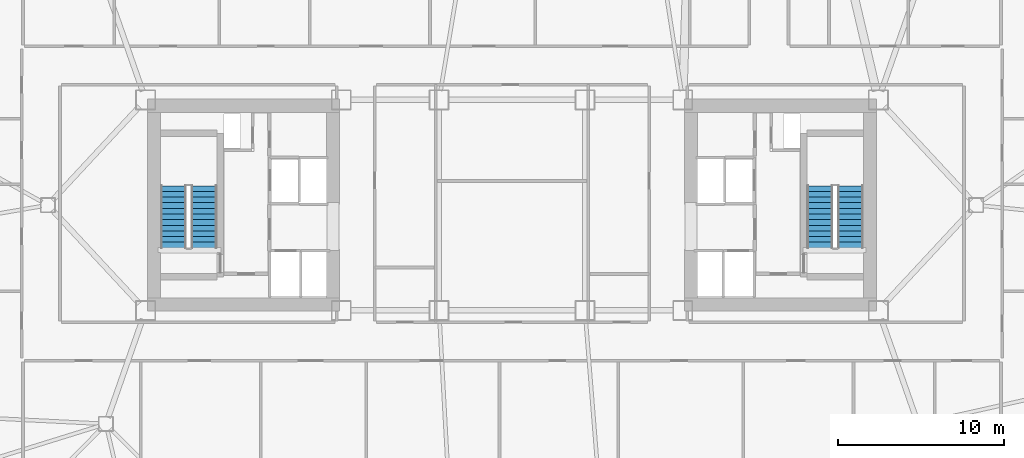
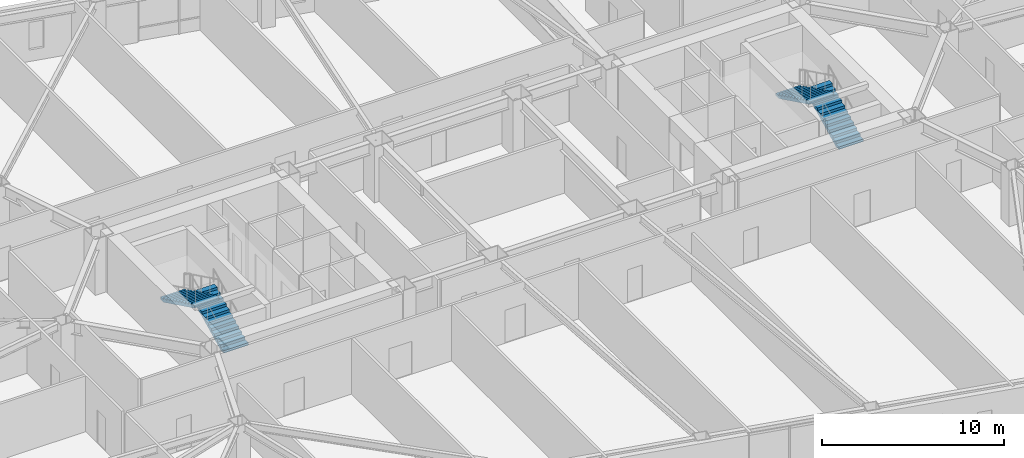
# One storey, part 15 of 20: 4 stair flights, 2 elements without a shape of their own.
"""IFC4 building model written with IfcOpenShell, lengths in metres."""

from ifc_helpers import new_model, si_unit, direction, frame, origin, place, context, subcontext, project, spatial, polyline, outline, extrude, material, type_object, element, aggregate, save


model = new_model("IFC4")

# Units and contexts
model_context = context("Model", 3, precision=1e-05, world=origin(), true_north=direction((0.0, 1.0)))
body_context = subcontext(model_context, "Body", "Model", "MODEL_VIEW")
ifc_project = project(units=[si_unit("LENGTHUNIT", "METRE"), si_unit("AREAUNIT", "SQUARE_METRE"), si_unit("VOLUMEUNIT", "CUBIC_METRE"), si_unit("PLANEANGLEUNIT", "RADIAN"), si_unit("MASSUNIT", "GRAM", prefix="KILO")], contexts=[model_context])

# Site, building, storey
site_placement = place(None, origin())
site = spatial("IfcSite", under=ifc_project, at=site_placement, CompositionType="ELEMENT")
building_placement = place(site_placement, origin())
building = spatial("IfcBuilding", under=site, at=building_placement, Name="Tavrogorsk Clinical Tower", CompositionType="ELEMENT")
storey_placement = place(building_placement, frame((0.0, 0.0, 67.39990234375)))
storey = spatial("IfcBuildingStorey", under=building, at=storey_placement, Name="L14", CompositionType="ELEMENT", Elevation=67.39990234375)

# Stair, stair flights
ifc_material_1 = material(Name="Concrete B60", Category="concrete")
stair_type = type_object("IfcStairType", Name="CoreStairAssembly", PredefinedType="HALF_TURN_STAIR", material=ifc_material_1)
stair_1_placement = place(storey_placement, origin())
stair_1 = element("IfcStair", 1, at=stair_1_placement, inside=storey, type_object=stair_type, Name="L14 ST-W", PredefinedType="HALF_TURN_STAIR")
ifc_material_2 = material(Name="Concrete B60", Category="concrete")
stair_flight_type = type_object("IfcStairFlightType", Name="CoreStairFlight", PredefinedType="STRAIGHT", material=ifc_material_2)
stair_flight_1_placement = place(storey_placement, frame((-18.574951171875, -2.574951171875, 0.0), z_axis=(0.0, 0.0, 1.0), x_axis=(0.0, 1.0, 0.0)))
stair_flight_1 = element("IfcStairFlight", 2, at=stair_flight_1_placement, type_object=stair_flight_type, Name="ST-W flight 1", NumberOfRisers=12, NumberOfTreads=11, PredefinedType="STRAIGHT", RiserHeight=0.166666667, TreadLength=0.34, context=body_context, shape_type="SweptSolid", body=[
    extrude(outline(polyline([(0.0, 0.0), (0.0, 0.166748046875), (0.340087890625, 0.166748046875), (0.340087890625, 0.333251953125), (0.679931640625, 0.333251953125), (0.679931640625, 0.5), (1.02001953125, 0.5), (1.02001953125, 0.666748046875), (1.360107421875, 0.666748046875), (1.360107421875, 0.833251953125), (1.699951171875, 0.833251953125), (1.699951171875, 1.0), (2.0400390625, 1.0), (2.0400390625, 1.166748046875), (2.3798828125, 1.166748046875), (2.3798828125, 1.333251953125), (2.719970703125, 1.333251953125), (2.719970703125, 1.5), (3.06005859375, 1.5), (3.06005859375, 1.666748046875), (3.39990234375, 1.666748046875), (3.39990234375, 1.833251953125), (3.739990234375, 1.833251953125), (3.739990234375, 2.0), (3.739990234375, 1.66650390625), (0.340576171875, 0.0), (0.0, 0.0)])), frame((0.0, 0.77490234375, 0.0), z_axis=(0.0, -1.0, 0.0), x_axis=(1.0, 0.0, 0.0)), (0.0, 0.0, 1.0), 1.550048828125),
])
stair_flight_2_placement = place(storey_placement, frame((-20.425048828125, 1.1650390625, 2.0), z_axis=(0.0, 0.0, 1.0), x_axis=(0.0, -1.0, 0.0)))
stair_flight_2 = element("IfcStairFlight", 3, at=stair_flight_2_placement, type_object=stair_flight_type, Name="ST-W flight 2", NumberOfRisers=12, NumberOfTreads=11, PredefinedType="STRAIGHT", RiserHeight=0.166666667, TreadLength=0.34, context=body_context, shape_type="SweptSolid", body=[
    extrude(outline(polyline([(0.0, 0.0), (0.0, 0.166748046875), (0.340087890625, 0.166748046875), (0.340087890625, 0.333251953125), (0.679931640625, 0.333251953125), (0.679931640625, 0.5), (1.02001953125, 0.5), (1.02001953125, 0.666748046875), (1.360107421875, 0.666748046875), (1.360107421875, 0.833251953125), (1.699951171875, 0.833251953125), (1.699951171875, 1.0), (2.0400390625, 1.0), (2.0400390625, 1.166748046875), (2.3798828125, 1.166748046875), (2.3798828125, 1.333251953125), (2.719970703125, 1.333251953125), (2.719970703125, 1.5), (3.06005859375, 1.5), (3.06005859375, 1.666748046875), (3.39990234375, 1.666748046875), (3.39990234375, 1.833251953125), (3.739990234375, 1.833251953125), (3.739990234375, 2.0), (3.739990234375, 1.66650390625), (0.340576171875, 0.0), (0.0, 0.0)])), frame((0.0, 0.77490234375, 0.0), z_axis=(0.0, -1.0, 0.0), x_axis=(1.0, 0.0, 0.0)), (0.0, 0.0, 1.0), 1.550048828125),
])
aggregate(stair_1, [stair_flight_1, stair_flight_2])

stair_2_placement = place(storey_placement, origin())
stair_2 = element("IfcStair", 4, at=stair_2_placement, inside=storey, type_object=stair_type, Name="L14 ST-E", PredefinedType="HALF_TURN_STAIR")
stair_flight_3_placement = place(storey_placement, frame((20.425048828125, -2.574951171875, 0.0), z_axis=(0.0, 0.0, 1.0), x_axis=(0.0, 1.0, 0.0)))
stair_flight_3 = element("IfcStairFlight", 5, at=stair_flight_3_placement, type_object=stair_flight_type, Name="ST-E flight 1", NumberOfRisers=12, NumberOfTreads=11, PredefinedType="STRAIGHT", RiserHeight=0.166666667, TreadLength=0.34, context=body_context, shape_type="SweptSolid", body=[
    extrude(outline(polyline([(0.0, 0.0), (0.0, 0.166748046875), (0.340087890625, 0.166748046875), (0.340087890625, 0.333251953125), (0.679931640625, 0.333251953125), (0.679931640625, 0.5), (1.02001953125, 0.5), (1.02001953125, 0.666748046875), (1.360107421875, 0.666748046875), (1.360107421875, 0.833251953125), (1.699951171875, 0.833251953125), (1.699951171875, 1.0), (2.0400390625, 1.0), (2.0400390625, 1.166748046875), (2.3798828125, 1.166748046875), (2.3798828125, 1.333251953125), (2.719970703125, 1.333251953125), (2.719970703125, 1.5), (3.06005859375, 1.5), (3.06005859375, 1.666748046875), (3.39990234375, 1.666748046875), (3.39990234375, 1.833251953125), (3.739990234375, 1.833251953125), (3.739990234375, 2.0), (3.739990234375, 1.66650390625), (0.340576171875, 0.0), (0.0, 0.0)])), frame((0.0, 0.77490234375, 0.0), z_axis=(0.0, -1.0, 0.0), x_axis=(1.0, 0.0, 0.0)), (0.0, 0.0, 1.0), 1.550048828125),
])
stair_flight_4_placement = place(storey_placement, frame((18.574951171875, 1.1650390625, 2.0), z_axis=(0.0, 0.0, 1.0), x_axis=(0.0, -1.0, 0.0)))
stair_flight_4 = element("IfcStairFlight", 6, at=stair_flight_4_placement, type_object=stair_flight_type, Name="ST-E flight 2", NumberOfRisers=12, NumberOfTreads=11, PredefinedType="STRAIGHT", RiserHeight=0.166666667, TreadLength=0.34, context=body_context, shape_type="SweptSolid", body=[
    extrude(outline(polyline([(0.0, 0.0), (0.0, 0.166748046875), (0.340087890625, 0.166748046875), (0.340087890625, 0.333251953125), (0.679931640625, 0.333251953125), (0.679931640625, 0.5), (1.02001953125, 0.5), (1.02001953125, 0.666748046875), (1.360107421875, 0.666748046875), (1.360107421875, 0.833251953125), (1.699951171875, 0.833251953125), (1.699951171875, 1.0), (2.0400390625, 1.0), (2.0400390625, 1.166748046875), (2.3798828125, 1.166748046875), (2.3798828125, 1.333251953125), (2.719970703125, 1.333251953125), (2.719970703125, 1.5), (3.06005859375, 1.5), (3.06005859375, 1.666748046875), (3.39990234375, 1.666748046875), (3.39990234375, 1.833251953125), (3.739990234375, 1.833251953125), (3.739990234375, 2.0), (3.739990234375, 1.66650390625), (0.340576171875, 0.0), (0.0, 0.0)])), frame((0.0, 0.77490234375, 0.0), z_axis=(0.0, -1.0, 0.0), x_axis=(1.0, 0.0, 0.0)), (0.0, 0.0, 1.0), 1.550048828125),
])
aggregate(stair_2, [stair_flight_3, stair_flight_4])

save(model, "model.ifc")
